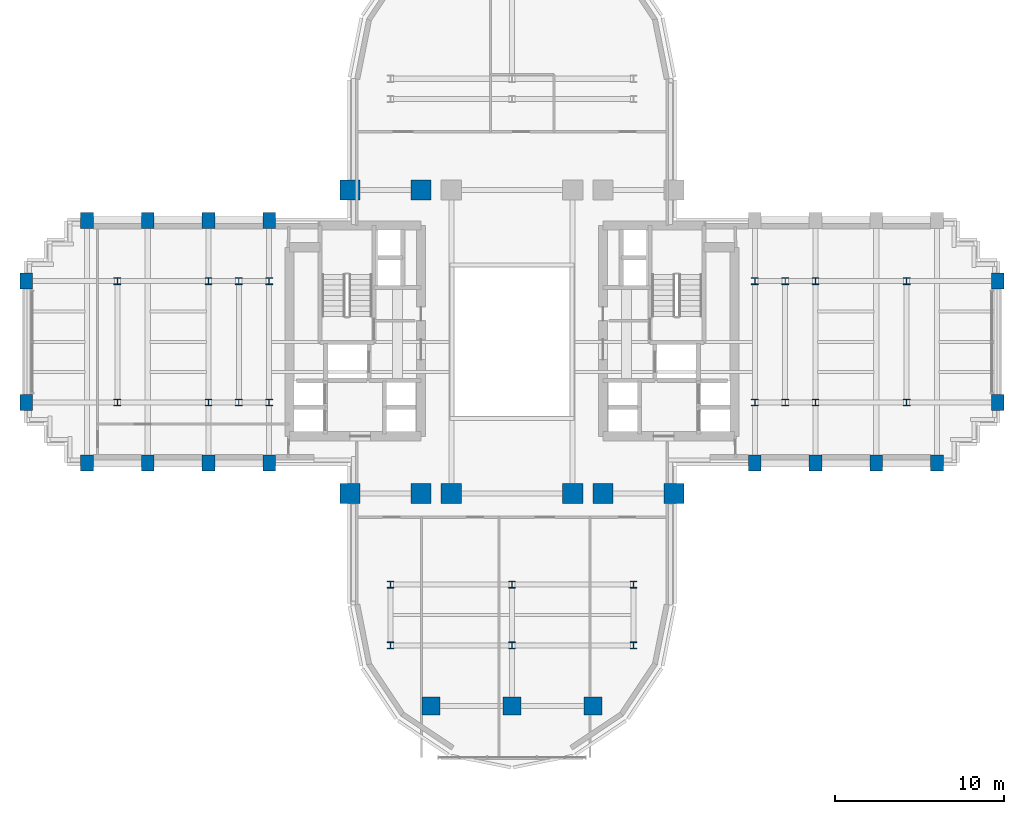
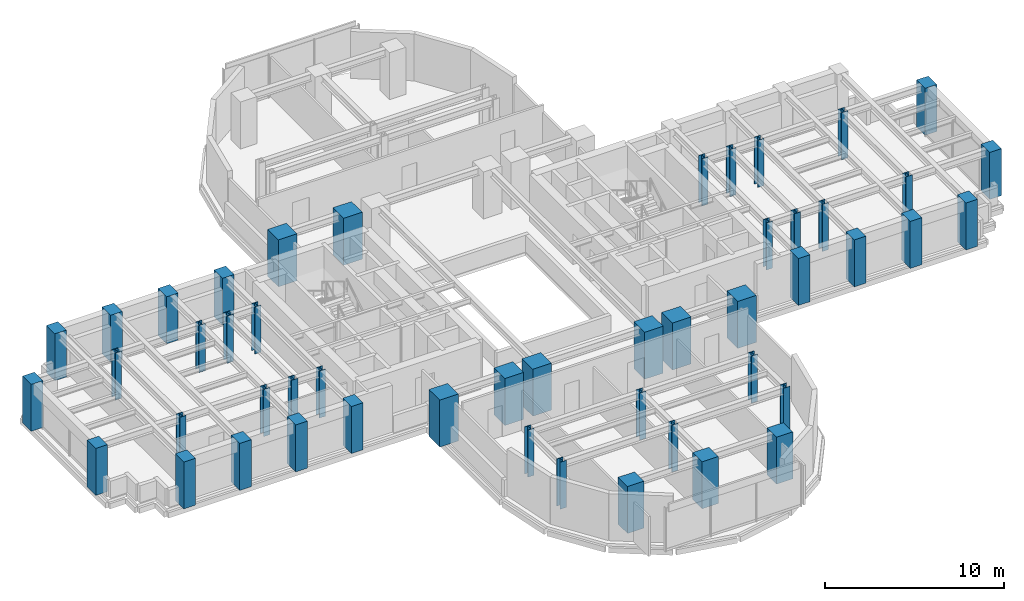
# One storey, part 1 of 16: 49 columns.
"""IFC4 building model written with IfcOpenShell, lengths in metres."""

from ifc_helpers import new_model, si_unit, direction, frame, origin, origin_2d, place, context, subcontext, project, spatial, rectangle, i_section, extrude, source, transform, mapped, material, material_profile, profile_set, type_object, element, save


model = new_model("IFC4")

# Units and contexts
model_context = context("Model", 3, precision=1e-05, world=origin(), true_north=direction((0.0, 1.0)))
body_context = subcontext(model_context, "Body", "Model", "MODEL_VIEW")
ifc_project = project(units=[si_unit("LENGTHUNIT", "METRE"), si_unit("AREAUNIT", "SQUARE_METRE"), si_unit("VOLUMEUNIT", "CUBIC_METRE"), si_unit("PLANEANGLEUNIT", "RADIAN"), si_unit("MASSUNIT", "GRAM", prefix="KILO")], contexts=[model_context])

# Site, building, storey
site_placement = place(None, origin())
site = spatial("IfcSite", under=ifc_project, at=site_placement, CompositionType="ELEMENT")
building_placement = place(site_placement, origin())
building = spatial("IfcBuilding", under=site, at=building_placement, Name="Keilestroom Media Tower", CompositionType="ELEMENT")
storey_placement = place(building_placement, frame((0.0, 0.0, 74.800048828125)))
storey = spatial("IfcBuildingStorey", under=building, at=storey_placement, Name="L19", CompositionType="ELEMENT", Elevation=74.800048828125)

# Columns
ifc_material_1 = material(Name="Precast concrete C40/50", Category="concrete")
ifc_material_profile_1 = material_profile(ifc_material_1, rectangle(XDim=0.75, YDim=0.949951171875, at=origin_2d()), Name="PC 950x750")
ifc_profile_set_1 = profile_set([ifc_material_profile_1], Name="Precast concrete C40/50")
column_type_1 = type_object("IfcColumnType", Name="Structural-Column-PC-950x750", PredefinedType="COLUMN", material=ifc_profile_set_1)
shared_shape_1 = source(origin(), body_context, "Body", "SweptSolid", [
    extrude(rectangle(XDim=0.75, YDim=0.949951171875, at=origin_2d()), origin(), (0.0, 0.0, 1.0), 3.199951171875),
])
for number, where, z_axis, x_axis, name in (
    (1, (-28.800048828125, -3.60009765625, 0.0), (0.0, 0.0, 1.0), (1.0, 0.0, 0.0), "L19 Column PC-1 (-28.8,-3.6)"),
    (2, (-28.800048828125, 3.60009765625, 0.0), (0.0, 0.0, 1.0), (1.0, 0.0, 0.0), "L19 Column PC-1 (-28.8,+3.6)"),
    (3, (-25.199951171875, -7.199951171875, 0.0), (0.0, 0.0, 1.0), (1.0, 0.0, 0.0), "L19 Column PC-1 (-25.2,-7.2)"),
    (4, (-25.199951171875, 7.199951171875, 0.0), (0.0, 0.0, 1.0), (1.0, 0.0, 0.0), "L19 Column PC-1 (-25.2,+7.2)"),
    (5, (-21.60009765625, -7.199951171875, 0.0), (0.0, 0.0, 1.0), (1.0, 0.0, 0.0), "L19 Column PC-1 (-21.6,-7.2)"),
    (6, (-21.60009765625, 7.199951171875, 0.0), (0.0, 0.0, 1.0), (1.0, 0.0, 0.0), "L19 Column PC-1 (-21.6,+7.2)"),
    (7, (-18.0, -7.199951171875, 0.0), (0.0, 0.0, 1.0), (1.0, 0.0, 0.0), "L19 Column PC-1 (-18.0,-7.2)"),
    (8, (-18.0, 7.199951171875, 0.0), (0.0, 0.0, 1.0), (1.0, 0.0, 0.0), "L19 Column PC-1 (-18.0,+7.2)"),
    (9, (-14.39990234375, -7.199951171875, 0.0), (0.0, 0.0, 1.0), (1.0, 0.0, 0.0), "L19 Column PC-1 (-14.4,-7.2)"),
    (10, (-14.39990234375, 7.199951171875, 0.0), (0.0, 0.0, 1.0), (1.0, 0.0, 0.0), "L19 Column PC-1 (-14.4,+7.2)"),
    (11, (14.39990234375, -7.199951171875, 0.0), (0.0, 0.0, 1.0), (1.0, 0.0, 0.0), "L19 Column PC-1 (+14.4,-7.2)"),
    (12, (18.0, -7.199951171875, 0.0), (0.0, 0.0, 1.0), (1.0, 0.0, 0.0), "L19 Column PC-1 (+18.0,-7.2)"),
    (13, (21.60009765625, -7.199951171875, 0.0), (0.0, 0.0, 1.0), (1.0, 0.0, 0.0), "L19 Column PC-1 (+21.6,-7.2)"),
    (14, (25.199951171875, -7.199951171875, 0.0), (0.0, 0.0, 1.0), (1.0, 0.0, 0.0), "L19 Column PC-1 (+25.2,-7.2)"),
    (15, (28.800048828125, -3.60009765625, 0.0), (0.0, 0.0, 1.0), (1.0, 0.0, 0.0), "L19 Column PC-1 (+28.8,-3.6)"),
    (16, (28.800048828125, 3.60009765625, 0.0), (0.0, 0.0, 1.0), (1.0, 0.0, 0.0), "L19 Column PC-1 (+28.8,+3.6)"),
):
    element("IfcColumn", number, at=place(storey_placement, frame(where, z_axis=z_axis, x_axis=x_axis)), inside=storey, type_object=column_type_1, Name=name, PredefinedType="COLUMN", context=body_context, shape_type="MappedRepresentation", body=[
        mapped(shared_shape_1, transform((0.0, 0.0, 0.0), x_axis=(1.0, 0.0, 0.0), y_axis=(0.0, 1.0, 0.0), z_axis=(0.0, 0.0, 1.0), scale=1.0)),
    ])
ifc_material_2 = material(Name="Steel S460", Category="steel")
ifc_material_profile_2 = material_profile(ifc_material_2, i_section(OverallWidth=0.404052734375, OverallDepth=0.406982421875, WebThickness=0.02197265625, FlangeThickness=0.035400390625, at=origin_2d()), Name="HD 400x347")
ifc_profile_set_2 = profile_set([ifc_material_profile_2], Name="Steel S460")
column_type_2 = type_object("IfcColumnType", Name="Structural-Column-HD-400x347", PredefinedType="COLUMN", material=ifc_profile_set_2)
shared_shape_2 = source(origin(), body_context, "Body", "SweptSolid", [
    extrude(i_section(OverallWidth=0.404052734375, OverallDepth=0.406982421875, WebThickness=0.02197265625, FlangeThickness=0.035400390625, at=origin_2d()), origin(), (0.0, 0.0, 1.0), 3.199951171875),
])
for number, where, z_axis, x_axis, name in (
    (17, (-23.39990234375, -3.60009765625, 0.0), (0.0, 0.0, 1.0), (1.0, 0.0, 0.0), "L19 Column SC-2 (-23.4,-3.6)"),
    (18, (-23.39990234375, 3.60009765625, 0.0), (0.0, 0.0, 1.0), (1.0, 0.0, 0.0), "L19 Column SC-2 (-23.4,+3.6)"),
    (19, (-18.0, -3.60009765625, 0.0), (0.0, 0.0, 1.0), (1.0, 0.0, 0.0), "L19 Column SC-2 (-18.0,-3.6)"),
    (20, (-18.0, 3.60009765625, 0.0), (0.0, 0.0, 1.0), (1.0, 0.0, 0.0), "L19 Column SC-2 (-18.0,+3.6)"),
    (21, (-16.199951171875, -3.60009765625, 0.0), (0.0, 0.0, 1.0), (1.0, 0.0, 0.0), "L19 Column SC-2 (-16.2,-3.6)"),
    (22, (-16.199951171875, 3.60009765625, 0.0), (0.0, 0.0, 1.0), (1.0, 0.0, 0.0), "L19 Column SC-2 (-16.2,+3.6)"),
    (23, (-14.39990234375, -3.60009765625, 0.0), (0.0, 0.0, 1.0), (1.0, 0.0, 0.0), "L19 Column SC-2 (-14.4,-3.6)"),
    (24, (-14.39990234375, 3.60009765625, 0.0), (0.0, 0.0, 1.0), (1.0, 0.0, 0.0), "L19 Column SC-2 (-14.4,+3.6)"),
    (25, (-7.199951171875, -18.0, 0.0), (0.0, 0.0, 1.0), (1.0, 0.0, 0.0), "L19 Column SC-2 (-7.2,-18.0)"),
    (26, (-7.199951171875, -14.39990234375, 0.0), (0.0, 0.0, 1.0), (1.0, 0.0, 0.0), "L19 Column SC-2 (-7.2,-14.4)"),
    (27, (0.0, -18.0, 0.0), (0.0, 0.0, 1.0), (1.0, 0.0, 0.0), "L19 Column SC-2 (+0.0,-18.0)"),
    (28, (0.0, -14.39990234375, 0.0), (0.0, 0.0, 1.0), (1.0, 0.0, 0.0), "L19 Column SC-2 (+0.0,-14.4)"),
    (29, (7.199951171875, -18.0, 0.0), (0.0, 0.0, 1.0), (1.0, 0.0, 0.0), "L19 Column SC-2 (+7.2,-18.0)"),
    (30, (7.199951171875, -14.39990234375, 0.0), (0.0, 0.0, 1.0), (1.0, 0.0, 0.0), "L19 Column SC-2 (+7.2,-14.4)"),
    (31, (14.39990234375, -3.60009765625, 0.0), (0.0, 0.0, 1.0), (1.0, 0.0, 0.0), "L19 Column SC-2 (+14.4,-3.6)"),
    (32, (14.39990234375, 3.60009765625, 0.0), (0.0, 0.0, 1.0), (1.0, 0.0, 0.0), "L19 Column SC-2 (+14.4,+3.6)"),
    (33, (16.199951171875, -3.60009765625, 0.0), (0.0, 0.0, 1.0), (1.0, 0.0, 0.0), "L19 Column SC-2 (+16.2,-3.6)"),
    (34, (16.199951171875, 3.60009765625, 0.0), (0.0, 0.0, 1.0), (1.0, 0.0, 0.0), "L19 Column SC-2 (+16.2,+3.6)"),
    (35, (18.0, -3.60009765625, 0.0), (0.0, 0.0, 1.0), (1.0, 0.0, 0.0), "L19 Column SC-2 (+18.0,-3.6)"),
    (36, (18.0, 3.60009765625, 0.0), (0.0, 0.0, 1.0), (1.0, 0.0, 0.0), "L19 Column SC-2 (+18.0,+3.6)"),
    (37, (23.39990234375, -3.60009765625, 0.0), (0.0, 0.0, 1.0), (1.0, 0.0, 0.0), "L19 Column SC-2 (+23.4,-3.6)"),
    (38, (23.39990234375, 3.60009765625, 0.0), (0.0, 0.0, 1.0), (1.0, 0.0, 0.0), "L19 Column SC-2 (+23.4,+3.6)"),
):
    element("IfcColumn", number, at=place(storey_placement, frame(where, z_axis=z_axis, x_axis=x_axis)), inside=storey, type_object=column_type_2, Name=name, PredefinedType="COLUMN", context=body_context, shape_type="MappedRepresentation", body=[
        mapped(shared_shape_2, transform((0.0, 0.0, 0.0), x_axis=(1.0, 0.0, 0.0), y_axis=(0.0, 1.0, 0.0), z_axis=(0.0, 0.0, 1.0), scale=1.0)),
    ])
ifc_material_3 = material(Name="Concrete C70/85", Category="concrete")
ifc_material_profile_3 = material_profile(ifc_material_3, rectangle(XDim=1.199951171875, YDim=1.199951171875, at=origin_2d()), Name="RC 1200x1200")
ifc_profile_set_3 = profile_set([ifc_material_profile_3], Name="Concrete C70/85")
column_type_3 = type_object("IfcColumnType", Name="Structural-Column-RC-1200x1200", PredefinedType="COLUMN", material=ifc_profile_set_3)
shared_shape_3 = source(origin(), body_context, "Body", "SweptSolid", [
    extrude(rectangle(XDim=1.199951171875, YDim=1.199951171875, at=origin_2d()), origin(), (0.0, 0.0, 1.0), 3.199951171875),
])
for number, where, z_axis, x_axis, name in (
    (39, (-9.60009765625, -9.0, 0.0), (0.0, 0.0, 1.0), (1.0, 0.0, 0.0), "L19 Column MC-2 (-9.6,-9.0)"),
    (40, (-9.60009765625, 9.0, 0.0), (0.0, 0.0, 1.0), (1.0, 0.0, 0.0), "L19 Column MC-2 (-9.6,+9.0)"),
    (41, (-5.39990234375, -9.0, 0.0), (0.0, 0.0, 1.0), (1.0, 0.0, 0.0), "L19 Column MC-2 (-5.4,-9.0)"),
    (42, (-5.39990234375, 9.0, 0.0), (0.0, 0.0, 1.0), (1.0, 0.0, 0.0), "L19 Column MC-2 (-5.4,+9.0)"),
    (43, (-3.60009765625, -9.0, 0.0), (0.0, 0.0, 1.0), (1.0, 0.0, 0.0), "L19 Column MC-2 (-3.6,-9.0)"),
    (44, (3.60009765625, -9.0, 0.0), (0.0, 0.0, 1.0), (1.0, 0.0, 0.0), "L19 Column MC-2 (+3.6,-9.0)"),
    (45, (5.39990234375, -9.0, 0.0), (0.0, 0.0, 1.0), (1.0, 0.0, 0.0), "L19 Column MC-2 (+5.4,-9.0)"),
    (46, (9.60009765625, -9.0, 0.0), (0.0, 0.0, 1.0), (1.0, 0.0, 0.0), "L19 Column MC-2 (+9.6,-9.0)"),
):
    element("IfcColumn", number, at=place(storey_placement, frame(where, z_axis=z_axis, x_axis=x_axis)), inside=storey, type_object=column_type_3, Name=name, PredefinedType="COLUMN", context=body_context, shape_type="MappedRepresentation", body=[
        mapped(shared_shape_3, transform((0.0, 0.0, 0.0), x_axis=(1.0, 0.0, 0.0), y_axis=(0.0, 1.0, 0.0), z_axis=(0.0, 0.0, 1.0), scale=1.0)),
    ])
ifc_material_4 = material(Name="Concrete C55/67", Category="concrete")
ifc_material_profile_4 = material_profile(ifc_material_4, rectangle(XDim=1.050048828125, YDim=1.050048828125, at=origin_2d()), Name="RC 1050x1050")
ifc_profile_set_4 = profile_set([ifc_material_profile_4], Name="Concrete C55/67")
column_type_4 = type_object("IfcColumnType", Name="Structural-Column-RC-1050x1050", PredefinedType="COLUMN", material=ifc_profile_set_4)
shared_shape_4 = source(origin(), body_context, "Body", "SweptSolid", [
    extrude(rectangle(XDim=1.050048828125, YDim=1.050048828125, at=origin_2d()), origin(), (0.0, 0.0, 1.0), 3.199951171875),
])
for number, where, z_axis, x_axis, name in (
    (47, (-4.800048828125, -21.60009765625, 0.0), (0.0, 0.0, 1.0), (1.0, 0.0, 0.0), "L19 Column MC-3 (-4.8,-21.6)"),
    (48, (0.0, -21.60009765625, 0.0), (0.0, 0.0, 1.0), (1.0, 0.0, 0.0), "L19 Column MC-3 (+0.0,-21.6)"),
    (49, (4.800048828125, -21.60009765625, 0.0), (0.0, 0.0, 1.0), (1.0, 0.0, 0.0), "L19 Column MC-3 (+4.8,-21.6)"),
):
    element("IfcColumn", number, at=place(storey_placement, frame(where, z_axis=z_axis, x_axis=x_axis)), inside=storey, type_object=column_type_4, Name=name, PredefinedType="COLUMN", context=body_context, shape_type="MappedRepresentation", body=[
        mapped(shared_shape_4, transform((0.0, 0.0, 0.0), x_axis=(1.0, 0.0, 0.0), y_axis=(0.0, 1.0, 0.0), z_axis=(0.0, 0.0, 1.0), scale=1.0)),
    ])

save(model, "model.ifc")
